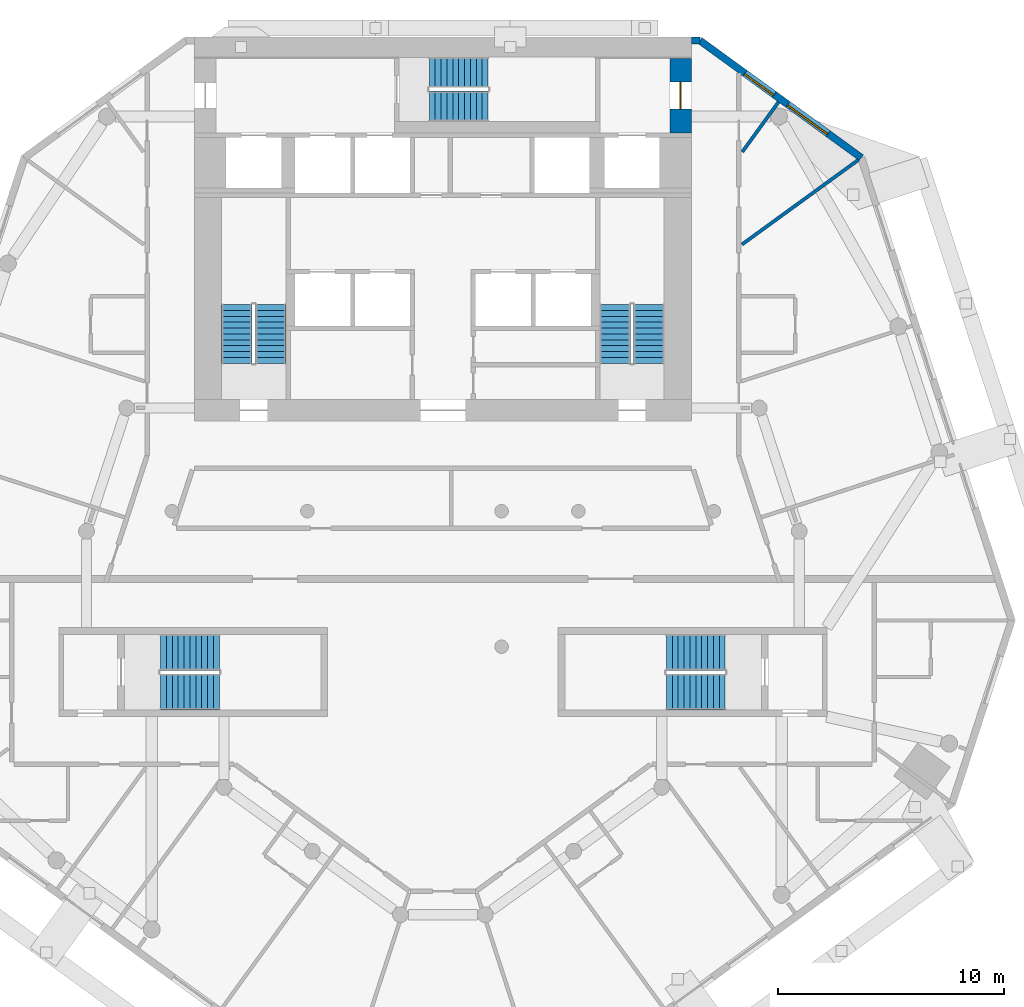
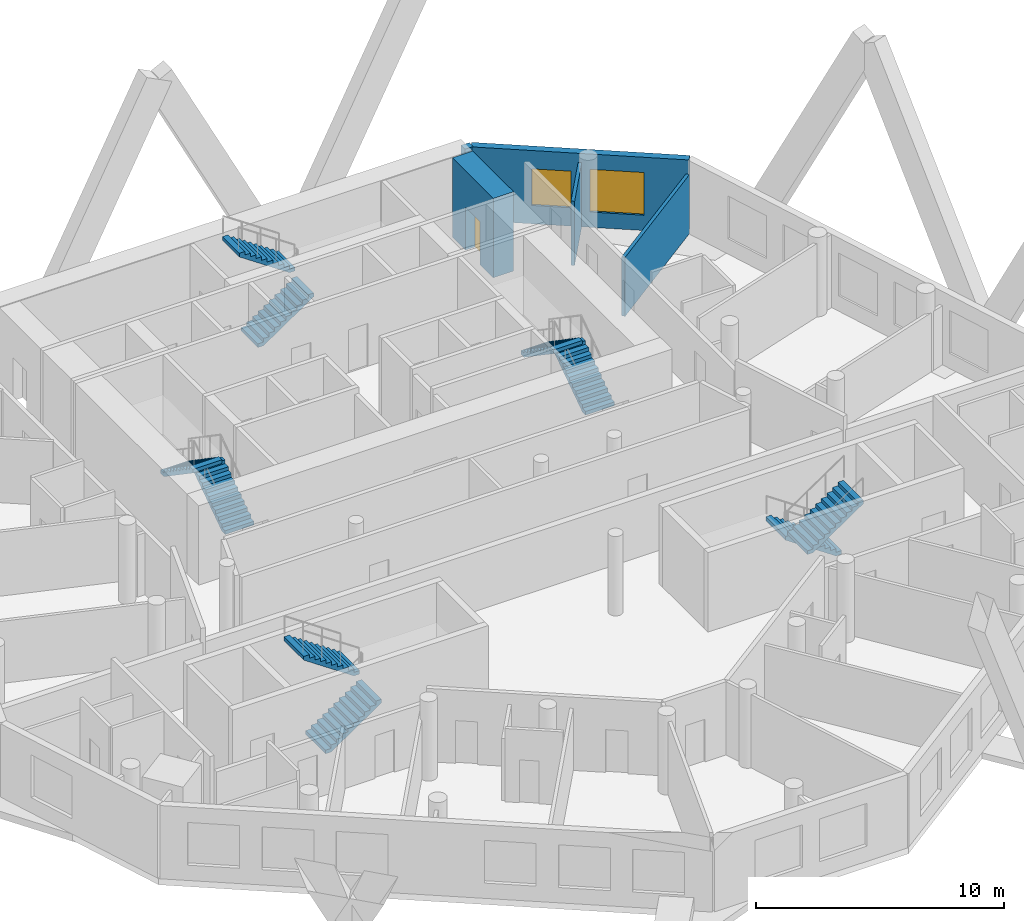
# One storey, part 8 of 10: 10 stair flights, 5 walls, 2 windows, 1 door, 3 openings, 5 elements without a shape of their own.
"""IFC4 building model written with IfcOpenShell, lengths in metres."""

import ifcopenshell
import ifcopenshell.guid

model = None  # the IFC model being written
_history = None  # IfcOwnerHistory: only IFC2X3 demands one
_inside = {}  # id of a spatial element -> (the spatial element, [elements in it])
_under = {}  # id of a project, library or spatial element -> (it, [spatial elements below it])
_declared = {}  # id of a project -> (the project, [libraries it declares])
_typed = {}  # id of a type object -> (the type object, [elements of that type])
_made_of = {}  # id of a material, layer set ... -> (it, [elements and type objects made of it])


def new_model(schema):
    """Start an empty IFC model of exactly this schema.

    Asked for "IFC4X3", IfcOpenShell would pick the latest addendum, in which some entities
    have other attributes; the version numbers below select the first issue.
    IFC2X3 requires an IfcOwnerHistory on every rooted entity: one is made here for all.
    """
    global model, _history
    if schema == "IFC4X3":
        model = ifcopenshell.file(schema_version=(4, 3, 0, 0))
    else:
        model = ifcopenshell.file(schema=schema)
    _inside.clear()
    _under.clear()
    _declared.clear()
    _typed.clear()
    _made_of.clear()
    _history = None
    if model.schema == "IFC2X3":
        org = make("IfcOrganization", Name="unknown")
        user = make(
            "IfcPersonAndOrganization",
            ThePerson=make("IfcPerson", FamilyName="unknown"),
            TheOrganization=org,
        )
        app = make(
            "IfcApplication",
            ApplicationDeveloper=org,
            Version="unknown",
            ApplicationFullName="unknown",
            ApplicationIdentifier="unknown",
        )
        _history = make(
            "IfcOwnerHistory",
            OwningUser=user,
            OwningApplication=app,
            ChangeAction="ADDED",
            CreationDate=0,
        )
    return model


def make(cls, **values):
    """One entity of the class cls with the attributes given. An attribute that is None is left unset."""
    return model.create_entity(
        cls, **{name: value for name, value in values.items() if value is not None}
    )


def rooted(cls, **values):
    """An entity with a GlobalId (a new one), such as an element, a storey or a relation."""
    return make(cls, GlobalId=ifcopenshell.guid.new(), OwnerHistory=_history, **values)


def si_unit(unit_type, name, prefix=None):
    """IfcSIUnit, for example si_unit("LENGTHUNIT", "METRE", prefix="MILLI")."""
    return make("IfcSIUnit", UnitType=unit_type, Prefix=prefix, Name=name)


def assignment(units):
    """IfcUnitAssignment: the units of a project."""
    return None if units is None else make("IfcUnitAssignment", Units=units)


def point(xyz):
    """IfcCartesianPoint."""
    return None if xyz is None else make("IfcCartesianPoint", Coordinates=xyz)


def direction(xyz):
    """IfcDirection."""
    return None if xyz is None else make("IfcDirection", DirectionRatios=xyz)


def frame(location, z_axis=None, x_axis=None):
    """IfcAxis2Placement3D, a coordinate frame: its origin and axes. An axis left out is left unset."""
    return make(
        "IfcAxis2Placement3D",
        Location=point(location),
        Axis=direction(z_axis),
        RefDirection=direction(x_axis),
    )


def frame_2d(location, x_axis=None):
    """IfcAxis2Placement2D, a coordinate frame in the plane: its origin and x axis."""
    return make(
        "IfcAxis2Placement2D", Location=point(location), RefDirection=direction(x_axis)
    )


def origin():
    """The frame at (0, 0, 0) with its axes left unset."""
    return frame((0.0, 0.0, 0.0))


def place(relative_to, where):
    """IfcLocalPlacement: puts the frame where relative to a parent placement (None: the world)."""
    return make(
        "IfcLocalPlacement", PlacementRelTo=relative_to, RelativePlacement=where
    )


def context(
    kind, dimensions, precision=None, world=None, true_north=None, identifier=None
):
    """IfcGeometricRepresentationContext, for example the 3D "Model" context."""
    return make(
        "IfcGeometricRepresentationContext",
        ContextIdentifier=identifier,
        ContextType=kind,
        CoordinateSpaceDimension=dimensions,
        Precision=precision,
        WorldCoordinateSystem=world,
        TrueNorth=true_north,
    )


def subcontext(parent, identifier, kind, view, scale=None):
    """IfcGeometricRepresentationSubContext, for example "Body" below "Model"."""
    return make(
        "IfcGeometricRepresentationSubContext",
        ContextIdentifier=identifier,
        ContextType=kind,
        ParentContext=parent,
        TargetScale=scale,
        TargetView=view,
    )


def project(units=None, contexts=None):
    """IfcProject with its units and contexts."""
    return rooted(
        "IfcProject",
        Name="project",
        RepresentationContexts=contexts,
        UnitsInContext=assignment(units),
    )


def spatial(cls, under=None, at=None, **own):
    """A site, building, storey or space (cls), placed at a placement, below another one or the project."""
    s = rooted(cls, ObjectPlacement=at, **own)
    if under is not None:
        _under.setdefault(under.id(), (under, []))[1].append(s)
    return s


def polyline(points):
    """IfcPolyline through the points."""
    return make("IfcPolyline", Points=[point(p) for p in points])


def profile(cls, at=None, kind="AREA", **sizes):
    """A parametric profile (cls). Its sizes go by their IFC names, for example OverallWidth=200.0."""
    return make(cls, ProfileType=kind, Position=at, **sizes)


def rectangle(**sizes):
    """IfcRectangleProfileDef."""
    return profile("IfcRectangleProfileDef", **sizes)


def outline(outer, holes=None, kind="AREA"):
    """IfcArbitraryClosedProfileDef: a profile drawn as a closed curve; with holes, ...WithVoids."""
    if holes is None:
        return make("IfcArbitraryClosedProfileDef", ProfileType=kind, OuterCurve=outer)
    return make(
        "IfcArbitraryProfileDefWithVoids",
        ProfileType=kind,
        OuterCurve=outer,
        InnerCurves=holes,
    )


def extrude(swept, where, along, depth):
    """IfcExtrudedAreaSolid: the profile swept, set in the frame where, extruded along a direction by depth."""
    return make(
        "IfcExtrudedAreaSolid",
        SweptArea=swept,
        Position=where,
        ExtrudedDirection=direction(along),
        Depth=depth,
    )


def shape(context_of_items, identifier, shape_type, items):
    """IfcShapeRepresentation: the items that make up one representation, for example the "Body"."""
    return make(
        "IfcShapeRepresentation",
        ContextOfItems=context_of_items,
        RepresentationIdentifier=identifier,
        RepresentationType=shape_type,
        Items=items,
    )


def material(Name=None, Category=None):
    """IfcMaterial."""
    return make("IfcMaterial", Name=Name, Category=Category)


def layer(
    of_material, thickness, ventilated=None, Name=None, Category=None, Priority=None
):
    """IfcMaterialLayer: one layer of a wall or slab, of a material (None: an air gap)."""
    return make(
        "IfcMaterialLayer",
        Material=of_material,
        LayerThickness=thickness,
        IsVentilated=ventilated,
        Name=Name,
        Category=Category,
        Priority=Priority,
    )


def layer_set(layers, Name=None):
    """IfcMaterialLayerSet."""
    return make("IfcMaterialLayerSet", MaterialLayers=layers, LayerSetName=Name)


def made_of(thing, what):
    """Note that an element or type object is made of a material, layer set ...; save() writes the relation."""
    if what is not None:
        _made_of.setdefault(what.id(), (what, []))[1].append(thing)
    return thing


def type_object(cls, material=None, **own):
    """A type object (cls), such as IfcWallType, which elements share."""
    return made_of(rooted(cls, **own), material)


def element(
    cls,
    number,
    at=None,
    inside=None,
    cuts=None,
    type_object=None,
    material=None,
    context=None,
    identifier="Body",
    shape_type=None,
    held_by="IfcProductDefinitionShape",
    body=None,
    shapes=None,
    **own,
):
    """One element of the class cls, such as IfcWall. Its Tag is "e" and its number.

    at: its placement. inside: the storey or other place that contains it. cuts: it is an
    opening in that element (IfcRelVoidsElement). A single representation is given by context,
    identifier, shape_type and body (its items); several are given by shapes. held_by: the class
    of the entity that holds the representations. save() writes the other relations.
    """
    e = rooted(cls, Tag="e%d" % number, ObjectPlacement=at, **own)
    if body is not None:
        shapes = [shape(context, identifier, shape_type, body)]
    if shapes is not None:
        e.Representation = make(held_by, Representations=shapes)
    if inside is not None:
        _inside.setdefault(inside.id(), (inside, []))[1].append(e)
    if cuts is not None:
        rooted(
            "IfcRelVoidsElement", RelatingBuildingElement=cuts, RelatedOpeningElement=e
        )
    if type_object is not None:
        _typed.setdefault(type_object.id(), (type_object, []))[1].append(e)
    return made_of(e, material)


def fill(opening, filler):
    """IfcRelFillsElement: the door or window that sits in an opening."""
    return rooted(
        "IfcRelFillsElement",
        RelatingOpeningElement=opening,
        RelatedBuildingElement=filler,
    )


def aggregate(whole, parts):
    """IfcRelAggregates: a whole, such as a stair, and the parts it consists of."""
    return rooted("IfcRelAggregates", RelatingObject=whole, RelatedObjects=parts)


def save(model, path):
    """Write the relations noted so far, then the file.

    IfcRelAggregates (storeys below a building ...), IfcRelContainedInSpatialStructure (elements
    in a storey), IfcRelDefinesByType, IfcRelAssociatesMaterial and IfcRelDeclares: one each for
    every whole, place, type object, material and project.
    """
    for whole, parts in _under.values():
        aggregate(whole, parts)
    for where, things in _inside.values():
        rooted(
            "IfcRelContainedInSpatialStructure",
            RelatedElements=things,
            RelatingStructure=where,
        )
    for kind, things in _typed.values():
        rooted("IfcRelDefinesByType", RelatedObjects=things, RelatingType=kind)
    for what, things in _made_of.values():
        rooted("IfcRelAssociatesMaterial", RelatedObjects=things, RelatingMaterial=what)
    for by, libraries in _declared.values():
        rooted("IfcRelDeclares", RelatingContext=by, RelatedDefinitions=libraries)
    model.write(path)


model = new_model("IFC4")

# Units and contexts
model_context = context("Model", 3, precision=1e-05, world=origin(), true_north=direction((0.0, 1.0)))
body_context = subcontext(model_context, "Body", "Model", "MODEL_VIEW")
ifc_project = project(units=[si_unit("LENGTHUNIT", "METRE"), si_unit("AREAUNIT", "SQUARE_METRE"), si_unit("VOLUMEUNIT", "CUBIC_METRE"), si_unit("PLANEANGLEUNIT", "RADIAN"), si_unit("MASSUNIT", "GRAM", prefix="KILO")], contexts=[model_context])

# Site, building, storey
site_placement = place(None, origin())
site = spatial("IfcSite", under=ifc_project, at=site_placement, CompositionType="ELEMENT")
building_placement = place(site_placement, origin())
building = spatial("IfcBuilding", under=site, at=building_placement, Name="White Candle Pilgrim Tower", CompositionType="ELEMENT")
storey_placement = place(building_placement, frame((0.0, 0.0, 160.300048828125)))
storey = spatial("IfcBuildingStorey", under=building, at=storey_placement, Name="L36", CompositionType="ELEMENT", Elevation=160.300048828125)

# Wall, opening, door
ifc_material_1 = material(Name="Concrete C60/75", Category="concrete")
ifc_layer_1 = layer(ifc_material_1, 0.949951171875)
ifc_layer_set_1 = layer_set([ifc_layer_1], Name="Core wall 950 mm Concrete C60/75")
wall_type_1 = type_object("IfcWallType", Name="Core wall 950 mm Concrete C60/75", PredefinedType="SHEAR", material=ifc_layer_set_1)
wall_1_placement = place(storey_placement, frame((80.52490234375, 83.75, 0.0), z_axis=(0.0, 0.0, 1.0), x_axis=(0.0, 1.0, 0.0)))
wall_1 = element("IfcWall", 1, at=wall_1_placement, inside=storey, type_object=wall_type_1, Name="WL-L36-C47", PredefinedType="SHEAR", context=body_context, shape_type="SweptSolid", body=[
    extrude(rectangle(XDim=3.300048828125, YDim=0.949951171875, at=frame_2d((1.64990234375, 0.0))), origin(), (0.0, 0.0, 1.0), 3.89990234375),
])
opening_1_placement = place(wall_1_placement, frame((1.050048828125, 0.0, 0.0)))
opening_1 = element("IfcOpeningElement", 2, at=opening_1_placement, cuts=wall_1, Name="Opening T11-009", PredefinedType="OPENING", context=body_context, shape_type="SweptSolid", body=[
    extrude(rectangle(XDim=1.199951171875, YDim=2.10009765625, at=frame_2d((0.60009765625, 1.050048828125))), frame((0.0, 0.48486328125, 0.0), z_axis=(0.0, -1.0, 0.0), x_axis=(1.0, 0.0, 0.0)), (0.0, 0.0, 1.0), 0.969970703125),
])
ifc_material_2 = material(Name="Steel door leaf", Category="steel")
door_type = type_object("IfcDoorType", Name="Fire door 1200 x 2100 EI 30", OperationType="NOTDEFINED", PredefinedType="DOOR", material=ifc_material_2)
door_placement = place(opening_1_placement, origin())
door = element("IfcDoor", 3, at=door_placement, inside=storey, type_object=door_type, Name="Door T11-009", OperationType="SINGLE_SWING_LEFT", OverallHeight=2.10009765625, OverallWidth=1.199951171875, PredefinedType="DOOR", context=body_context, shape_type="SweptSolid", body=[
    extrude(rectangle(XDim=1.199951171875, YDim=2.10009765625, at=frame_2d((0.60009765625, 1.050048828125))), frame((0.0, 0.02490234375, 0.0), z_axis=(0.0, -1.0, 0.0), x_axis=(1.0, 0.0, 0.0)), (0.0, 0.0, 1.0), 0.050048828125),
])
fill(opening_1, door)

# Wall, openings, windows
ifc_material_3 = material(Name="Precast concrete C40/50", Category="concrete")
ifc_layer_2 = layer(ifc_material_3, 0.320068359375)
ifc_layer_set_2 = layer_set([ifc_layer_2], Name="Facade wall EW1 precast concrete C40/50 pier wall with timber-lined reveals")
wall_type_2 = type_object("IfcWallType", Name="Facade wall EW1 precast concrete C40/50 pier wall with timber-lined reveals", PredefinedType="SOLIDWALL", material=ifc_layer_set_2)
wall_2_placement = place(storey_placement, frame((88.529052734375, 82.649658203125, 0.0), z_axis=(0.0, 0.0, 1.0), x_axis=(-0.809018144148, 0.587783669762, 0.0)))
wall_2 = element("IfcWall", 4, at=wall_2_placement, inside=storey, type_object=wall_type_2, Name="Facade wall L36 NE chamfer", PredefinedType="SOLIDWALL", context=body_context, shape_type="SweptSolid", body=[
    extrude(rectangle(XDim=8.83056640625, YDim=0.320068359375, at=frame_2d((4.415283203125, 0.0))), origin(), (0.0, 0.0, 1.0), 3.599853515625),
])
opening_2_placement = place(wall_2_placement, frame((1.815185546875, 0.0, 0.75)))
opening_2 = element("IfcOpeningElement", 5, at=opening_2_placement, cuts=wall_2, Name="Opening W4", PredefinedType="OPENING", context=body_context, shape_type="SweptSolid", body=[
    extrude(rectangle(XDim=2.199951171875, YDim=2.10009765625, at=frame_2d((1.10009765625, 1.050048828125))), frame((0.0, 0.169921875, 0.0), z_axis=(0.0, -1.0, 0.0), x_axis=(1.0, 0.0, 0.0)), (0.0, 0.0, 1.0), 0.340087890625),
])
opening_3_placement = place(wall_2_placement, frame((4.76513671875, 0.0, 0.89990234375)))
opening_3 = element("IfcOpeningElement", 6, at=opening_3_placement, cuts=wall_2, Name="Opening W2", PredefinedType="OPENING", context=body_context, shape_type="SweptSolid", body=[
    extrude(rectangle(XDim=1.60009765625, YDim=1.800048828125, at=frame_2d((0.800048828125, 0.89990234375))), frame((0.0, 0.169921875, 0.0), z_axis=(0.0, -1.0, 0.0), x_axis=(1.0, 0.0, 0.0)), (0.0, 0.0, 1.0), 0.340087890625),
])
ifc_material_4 = material(Name="Timber frame with triple glazing", Category="wood")
window_type_1 = type_object("IfcWindowType", Name="Window W2 1600x1800 timber frame triple glazing", PartitioningType="SINGLE_PANEL", PredefinedType="WINDOW", material=ifc_material_4)
window_1_placement = place(opening_3_placement, origin())
window_1 = element("IfcWindow", 7, at=window_1_placement, inside=storey, type_object=window_type_1, Name="Window W2 L36 NE chamfer 2", OverallHeight=1.800048828125, OverallWidth=1.60009765625, PartitioningType="SINGLE_PANEL", PredefinedType="WINDOW", context=body_context, shape_type="SweptSolid", body=[
    extrude(rectangle(XDim=1.60009765625, YDim=1.800048828125, at=frame_2d((0.800048828125, 0.89990234375))), frame((0.0, 0.070068359375, 0.0), z_axis=(0.0, -1.0, 0.0), x_axis=(1.0, 0.0, 0.0)), (0.0, 0.0, 1.0), 0.06005859375),
])
fill(opening_3, window_1)
window_type_2 = type_object("IfcWindowType", Name="Window W4 2200x2100 timber frame triple glazing", PartitioningType="SINGLE_PANEL", PredefinedType="WINDOW", material=ifc_material_4)
window_2_placement = place(opening_2_placement, origin())
window_2 = element("IfcWindow", 8, at=window_2_placement, inside=storey, type_object=window_type_2, Name="Window W4 L36 NE chamfer 1", OverallHeight=2.10009765625, OverallWidth=2.199951171875, PartitioningType="SINGLE_PANEL", PredefinedType="WINDOW", context=body_context, shape_type="SweptSolid", body=[
    extrude(rectangle(XDim=2.199951171875, YDim=2.10009765625, at=frame_2d((1.10009765625, 1.050048828125))), frame((0.0, 0.070068359375, 0.0), z_axis=(0.0, -1.0, 0.0), x_axis=(1.0, 0.0, 0.0)), (0.0, 0.0, 1.0), 0.06005859375),
])
fill(opening_2, window_2)

# Walls
wall_3_placement = place(storey_placement, frame((81.385009765625, 87.840087890625, 0.0), z_axis=(0.0, 0.0, 1.0), x_axis=(-1.0, 0.0, 0.0)))
element("IfcWall", 9, at=wall_3_placement, inside=storey, type_object=wall_type_2, Name="Facade wall L36 N", PredefinedType="SOLIDWALL", context=body_context, shape_type="SweptSolid", body=[
    extrude(rectangle(XDim=0.385009765625, YDim=0.320068359375, at=frame_2d((0.1923828125, 0.0))), origin(), (0.0, 0.0, 1.0), 3.599853515625),
])
ifc_material_5 = material(Name="Gypsum board on steel studs", Category="steel")
ifc_layer_3 = layer(ifc_material_5, 0.14990234375)
ifc_layer_set_3 = layer_set([ifc_layer_3], Name="Partition 150 mm EI 60")
wall_type_3 = type_object("IfcWallType", Name="Partition 150 mm EI 60", PredefinedType="PARTITIONING", material=ifc_layer_set_3)
wall_4_placement = place(storey_placement, frame((88.392822265625, 82.55078125, 0.0), z_axis=(0.0, 0.0, 1.0), x_axis=(-0.809018004504, -0.587783861966, 0.0)))
element("IfcWall", 10, at=wall_4_placement, inside=storey, type_object=wall_type_3, Name="WL-L36-P024", PredefinedType="PARTITIONING", context=body_context, shape_type="SweptSolid", body=[
    extrude(rectangle(XDim=6.364013671875, YDim=0.14990234375, at=frame_2d((3.18212890625, 0.0))), origin(), (0.0, 0.0, 1.0), 2.89990234375),
])
wall_5_placement = place(storey_placement, frame((84.86279296875, 85.115478515625, 0.0), z_axis=(0.0, 0.0, 1.0), x_axis=(-0.587734915063, -0.809053564121, 0.0)))
element("IfcWall", 11, at=wall_5_placement, inside=storey, type_object=wall_type_3, Name="WL-L36-P054", PredefinedType="PARTITIONING", context=body_context, shape_type="SweptSolid", body=[
    extrude(rectangle(XDim=2.725830078125, YDim=0.14990234375, at=frame_2d((1.36279296875, 0.0))), origin(), (0.0, 0.0, 1.0), 3.14990234375),
])

# Stair, stair flights
ifc_material_6 = material(Name="Concrete C40/50", Category="concrete")
stair_type_1 = type_object("IfcStairType", Name="Exit stair 1 flight width 1350 mm", PredefinedType="HALF_TURN_STAIR", material=ifc_material_6)
stair_1_placement = place(storey_placement, origin())
stair_1 = element("IfcStair", 12, at=stair_1_placement, inside=storey, type_object=stair_type_1, Name="L36 stair 1", PredefinedType="NOTDEFINED")
ifc_layer_4 = layer(ifc_material_6, 0.14990234375)
ifc_layer_set_4 = layer_set([ifc_layer_4], Name="Stair flight Concrete C40/50")
stair_flight_type = type_object("IfcStairFlightType", Name="Stair flight Concrete C40/50", PredefinedType="STRAIGHT", material=ifc_layer_set_4)
stair_flight_1_placement = place(storey_placement, frame((62.375, 73.550048828125, 0.0), z_axis=(0.0, 0.0, 1.0), x_axis=(0.0, 1.0, 0.0)))
stair_flight_1 = element("IfcStairFlight", 13, at=stair_flight_1_placement, type_object=stair_flight_type, Name="ST1 flight 1", NumberOfRisers=11, NumberOfTreads=10, PredefinedType="NOTDEFINED", RiserHeight=0.177272727, TreadLength=0.26, context=body_context, shape_type="SweptSolid", body=[
    extrude(outline(polyline([(0.0, 0.0), (0.0, 0.17724609375), (0.260009765625, 0.17724609375), (0.260009765625, 0.3544921875), (0.52001953125, 0.3544921875), (0.52001953125, 0.53173828125), (0.780029296875, 0.53173828125), (0.780029296875, 0.708984375), (1.0400390625, 0.708984375), (1.0400390625, 0.886474609375), (1.300048828125, 0.886474609375), (1.300048828125, 1.063720703125), (1.56005859375, 1.063720703125), (1.56005859375, 1.240966796875), (1.820068359375, 1.240966796875), (1.820068359375, 1.418212890625), (2.080078125, 1.418212890625), (2.080078125, 1.595458984375), (2.340087890625, 1.595458984375), (2.340087890625, 1.772705078125), (2.60009765625, 1.772705078125), (2.60009765625, 1.949951171875), (2.60009765625, 1.59130859375), (0.26611328125, 0.0), (0.0, 0.0)])), frame((0.0, 0.675048828125, 0.0), z_axis=(0.0, -1.0, 0.0), x_axis=(1.0, 0.0, 0.0)), (0.0, 0.0, 1.0), 1.35009765625),
])
stair_flight_2_placement = place(storey_placement, frame((60.875, 76.14990234375, 1.949951171875), z_axis=(0.0, 0.0, 1.0), x_axis=(0.0, -1.0, 0.0)))
stair_flight_2 = element("IfcStairFlight", 14, at=stair_flight_2_placement, type_object=stair_flight_type, Name="ST1 flight 2", NumberOfRisers=11, NumberOfTreads=10, PredefinedType="NOTDEFINED", RiserHeight=0.177272727, TreadLength=0.26, context=body_context, shape_type="SweptSolid", body=[
    extrude(outline(polyline([(0.0, 0.0), (0.0, 0.17724609375), (0.260009765625, 0.17724609375), (0.260009765625, 0.3544921875), (0.52001953125, 0.3544921875), (0.52001953125, 0.53173828125), (0.780029296875, 0.53173828125), (0.780029296875, 0.708984375), (1.0400390625, 0.708984375), (1.0400390625, 0.886474609375), (1.300048828125, 0.886474609375), (1.300048828125, 1.063720703125), (1.56005859375, 1.063720703125), (1.56005859375, 1.240966796875), (1.820068359375, 1.240966796875), (1.820068359375, 1.418212890625), (2.080078125, 1.418212890625), (2.080078125, 1.595458984375), (2.340087890625, 1.595458984375), (2.340087890625, 1.772705078125), (2.60009765625, 1.772705078125), (2.60009765625, 1.949951171875), (2.60009765625, 1.59130859375), (0.26611328125, 0.0), (0.0, 0.0)])), frame((0.0, 0.675048828125, 0.0), z_axis=(0.0, -1.0, 0.0), x_axis=(1.0, 0.0, 0.0)), (0.0, 0.0, 1.0), 1.35009765625),
])
aggregate(stair_1, [stair_flight_1, stair_flight_2])

stair_type_2 = type_object("IfcStairType", Name="Exit stair 2 flight width 1350 mm", PredefinedType="HALF_TURN_STAIR", material=ifc_material_6)
stair_2_placement = place(storey_placement, origin())
stair_2 = element("IfcStair", 15, at=stair_2_placement, inside=storey, type_object=stair_type_2, Name="L36 stair 2", PredefinedType="NOTDEFINED")
stair_flight_3_placement = place(storey_placement, frame((79.125, 73.550048828125, 0.0), z_axis=(0.0, 0.0, 1.0), x_axis=(0.0, 1.0, 0.0)))
stair_flight_3 = element("IfcStairFlight", 16, at=stair_flight_3_placement, type_object=stair_flight_type, Name="ST2 flight 1", NumberOfRisers=11, NumberOfTreads=10, PredefinedType="NOTDEFINED", RiserHeight=0.177272727, TreadLength=0.26, context=body_context, shape_type="SweptSolid", body=[
    extrude(outline(polyline([(0.0, 0.0), (0.0, 0.17724609375), (0.260009765625, 0.17724609375), (0.260009765625, 0.3544921875), (0.52001953125, 0.3544921875), (0.52001953125, 0.53173828125), (0.780029296875, 0.53173828125), (0.780029296875, 0.708984375), (1.0400390625, 0.708984375), (1.0400390625, 0.886474609375), (1.300048828125, 0.886474609375), (1.300048828125, 1.063720703125), (1.56005859375, 1.063720703125), (1.56005859375, 1.240966796875), (1.820068359375, 1.240966796875), (1.820068359375, 1.418212890625), (2.080078125, 1.418212890625), (2.080078125, 1.595458984375), (2.340087890625, 1.595458984375), (2.340087890625, 1.772705078125), (2.60009765625, 1.772705078125), (2.60009765625, 1.949951171875), (2.60009765625, 1.59130859375), (0.26611328125, 0.0), (0.0, 0.0)])), frame((0.0, 0.675048828125, 0.0), z_axis=(0.0, -1.0, 0.0), x_axis=(1.0, 0.0, 0.0)), (0.0, 0.0, 1.0), 1.35009765625),
])
stair_flight_4_placement = place(storey_placement, frame((77.625, 76.14990234375, 1.949951171875), z_axis=(0.0, 0.0, 1.0), x_axis=(0.0, -1.0, 0.0)))
stair_flight_4 = element("IfcStairFlight", 17, at=stair_flight_4_placement, type_object=stair_flight_type, Name="ST2 flight 2", NumberOfRisers=11, NumberOfTreads=10, PredefinedType="NOTDEFINED", RiserHeight=0.177272727, TreadLength=0.26, context=body_context, shape_type="SweptSolid", body=[
    extrude(outline(polyline([(0.0, 0.0), (0.0, 0.17724609375), (0.260009765625, 0.17724609375), (0.260009765625, 0.3544921875), (0.52001953125, 0.3544921875), (0.52001953125, 0.53173828125), (0.780029296875, 0.53173828125), (0.780029296875, 0.708984375), (1.0400390625, 0.708984375), (1.0400390625, 0.886474609375), (1.300048828125, 0.886474609375), (1.300048828125, 1.063720703125), (1.56005859375, 1.063720703125), (1.56005859375, 1.240966796875), (1.820068359375, 1.240966796875), (1.820068359375, 1.418212890625), (2.080078125, 1.418212890625), (2.080078125, 1.595458984375), (2.340087890625, 1.595458984375), (2.340087890625, 1.772705078125), (2.60009765625, 1.772705078125), (2.60009765625, 1.949951171875), (2.60009765625, 1.59130859375), (0.26611328125, 0.0), (0.0, 0.0)])), frame((0.0, 0.675048828125, 0.0), z_axis=(0.0, -1.0, 0.0), x_axis=(1.0, 0.0, 0.0)), (0.0, 0.0, 1.0), 1.35009765625),
])
aggregate(stair_2, [stair_flight_3, stair_flight_4])

stair_type_3 = type_object("IfcStairType", Name="Exit stair 3 flight width 1350 mm", PredefinedType="HALF_TURN_STAIR", material=ifc_material_6)
stair_3_placement = place(storey_placement, origin())
stair_3 = element("IfcStair", 18, at=stair_3_placement, inside=storey, type_object=stair_type_3, Name="L36 stair 3", PredefinedType="NOTDEFINED")
stair_flight_5_placement = place(storey_placement, frame((69.39990234375, 84.925048828125, 0.0), z_axis=(0.0, 0.0, 1.0), x_axis=(1.0, 0.0, 0.0)))
stair_flight_5 = element("IfcStairFlight", 19, at=stair_flight_5_placement, type_object=stair_flight_type, Name="ST3 flight 1", NumberOfRisers=11, NumberOfTreads=10, PredefinedType="NOTDEFINED", RiserHeight=0.177272727, TreadLength=0.26, context=body_context, shape_type="SweptSolid", body=[
    extrude(outline(polyline([(0.0, 0.0), (0.0, 0.17724609375), (0.260009765625, 0.17724609375), (0.260009765625, 0.3544921875), (0.52001953125, 0.3544921875), (0.52001953125, 0.53173828125), (0.780029296875, 0.53173828125), (0.780029296875, 0.708984375), (1.0400390625, 0.708984375), (1.0400390625, 0.886474609375), (1.300048828125, 0.886474609375), (1.300048828125, 1.063720703125), (1.56005859375, 1.063720703125), (1.56005859375, 1.240966796875), (1.820068359375, 1.240966796875), (1.820068359375, 1.418212890625), (2.080078125, 1.418212890625), (2.080078125, 1.595458984375), (2.340087890625, 1.595458984375), (2.340087890625, 1.772705078125), (2.60009765625, 1.772705078125), (2.60009765625, 1.949951171875), (2.60009765625, 1.59130859375), (0.26611328125, 0.0), (0.0, 0.0)])), frame((0.0, 0.675048828125, 0.0), z_axis=(0.0, -1.0, 0.0), x_axis=(1.0, 0.0, 0.0)), (0.0, 0.0, 1.0), 1.35009765625),
])
stair_flight_6_placement = place(storey_placement, frame((72.0, 86.425048828125, 1.949951171875), z_axis=(0.0, 0.0, 1.0), x_axis=(-1.0, 0.0, 0.0)))
stair_flight_6 = element("IfcStairFlight", 20, at=stair_flight_6_placement, type_object=stair_flight_type, Name="ST3 flight 2", NumberOfRisers=11, NumberOfTreads=10, PredefinedType="NOTDEFINED", RiserHeight=0.177272727, TreadLength=0.26, context=body_context, shape_type="SweptSolid", body=[
    extrude(outline(polyline([(0.0, 0.0), (0.0, 0.17724609375), (0.260009765625, 0.17724609375), (0.260009765625, 0.3544921875), (0.52001953125, 0.3544921875), (0.52001953125, 0.53173828125), (0.780029296875, 0.53173828125), (0.780029296875, 0.708984375), (1.0400390625, 0.708984375), (1.0400390625, 0.886474609375), (1.300048828125, 0.886474609375), (1.300048828125, 1.063720703125), (1.56005859375, 1.063720703125), (1.56005859375, 1.240966796875), (1.820068359375, 1.240966796875), (1.820068359375, 1.418212890625), (2.080078125, 1.418212890625), (2.080078125, 1.595458984375), (2.340087890625, 1.595458984375), (2.340087890625, 1.772705078125), (2.60009765625, 1.772705078125), (2.60009765625, 1.949951171875), (2.60009765625, 1.59130859375), (0.26611328125, 0.0), (0.0, 0.0)])), frame((0.0, 0.675048828125, 0.0), z_axis=(0.0, -1.0, 0.0), x_axis=(1.0, 0.0, 0.0)), (0.0, 0.0, 1.0), 1.35009765625),
])
aggregate(stair_3, [stair_flight_5, stair_flight_6])

stair_type_4 = type_object("IfcStairType", Name="Exit stair 4 flight width 1600 mm", PredefinedType="HALF_TURN_STAIR", material=ifc_material_6)
stair_4_placement = place(storey_placement, origin())
stair_4 = element("IfcStair", 21, at=stair_4_placement, inside=storey, type_object=stair_type_4, Name="L36 stair 4", PredefinedType="NOTDEFINED")
stair_flight_7_placement = place(storey_placement, frame((82.5, 60.75, 0.0), z_axis=(0.0, 0.0, 1.0), x_axis=(-1.0, 0.0, 0.0)))
stair_flight_7 = element("IfcStairFlight", 22, at=stair_flight_7_placement, type_object=stair_flight_type, Name="ST4 flight 1", NumberOfRisers=11, NumberOfTreads=10, PredefinedType="NOTDEFINED", RiserHeight=0.177272727, TreadLength=0.26, context=body_context, shape_type="SweptSolid", body=[
    extrude(outline(polyline([(0.0, 0.0), (0.0, 0.17724609375), (0.260009765625, 0.17724609375), (0.260009765625, 0.3544921875), (0.52001953125, 0.3544921875), (0.52001953125, 0.53173828125), (0.780029296875, 0.53173828125), (0.780029296875, 0.708984375), (1.0400390625, 0.708984375), (1.0400390625, 0.886474609375), (1.300048828125, 0.886474609375), (1.300048828125, 1.063720703125), (1.56005859375, 1.063720703125), (1.56005859375, 1.240966796875), (1.820068359375, 1.240966796875), (1.820068359375, 1.418212890625), (2.080078125, 1.418212890625), (2.080078125, 1.595458984375), (2.340087890625, 1.595458984375), (2.340087890625, 1.772705078125), (2.60009765625, 1.772705078125), (2.60009765625, 1.949951171875), (2.60009765625, 1.59130859375), (0.26611328125, 0.0), (0.0, 0.0)])), frame((0.0, 0.800048828125, 0.0), z_axis=(0.0, -1.0, 0.0), x_axis=(1.0, 0.0, 0.0)), (0.0, 0.0, 1.0), 1.60009765625),
])
stair_flight_8_placement = place(storey_placement, frame((79.89990234375, 59.0, 1.949951171875), z_axis=(0.0, 0.0, 1.0), x_axis=(1.0, 0.0, 0.0)))
stair_flight_8 = element("IfcStairFlight", 23, at=stair_flight_8_placement, type_object=stair_flight_type, Name="ST4 flight 2", NumberOfRisers=11, NumberOfTreads=10, PredefinedType="NOTDEFINED", RiserHeight=0.177272727, TreadLength=0.26, context=body_context, shape_type="SweptSolid", body=[
    extrude(outline(polyline([(0.0, 0.0), (0.0, 0.17724609375), (0.260009765625, 0.17724609375), (0.260009765625, 0.3544921875), (0.52001953125, 0.3544921875), (0.52001953125, 0.53173828125), (0.780029296875, 0.53173828125), (0.780029296875, 0.708984375), (1.0400390625, 0.708984375), (1.0400390625, 0.886474609375), (1.300048828125, 0.886474609375), (1.300048828125, 1.063720703125), (1.56005859375, 1.063720703125), (1.56005859375, 1.240966796875), (1.820068359375, 1.240966796875), (1.820068359375, 1.418212890625), (2.080078125, 1.418212890625), (2.080078125, 1.595458984375), (2.340087890625, 1.595458984375), (2.340087890625, 1.772705078125), (2.60009765625, 1.772705078125), (2.60009765625, 1.949951171875), (2.60009765625, 1.59130859375), (0.26611328125, 0.0), (0.0, 0.0)])), frame((0.0, 0.800048828125, 0.0), z_axis=(0.0, -1.0, 0.0), x_axis=(1.0, 0.0, 0.0)), (0.0, 0.0, 1.0), 1.60009765625),
])
aggregate(stair_4, [stair_flight_7, stair_flight_8])

stair_type_5 = type_object("IfcStairType", Name="Exit stair 5 flight width 1600 mm", PredefinedType="HALF_TURN_STAIR", material=ifc_material_6)
stair_5_placement = place(storey_placement, origin())
stair_5 = element("IfcStair", 24, at=stair_5_placement, inside=storey, type_object=stair_type_5, Name="L36 stair 5", PredefinedType="NOTDEFINED")
stair_flight_9_placement = place(storey_placement, frame((57.5, 59.0, 0.0), z_axis=(0.0, 0.0, 1.0), x_axis=(1.0, 0.0, 0.0)))
stair_flight_9 = element("IfcStairFlight", 25, at=stair_flight_9_placement, type_object=stair_flight_type, Name="ST5 flight 1", NumberOfRisers=11, NumberOfTreads=10, PredefinedType="NOTDEFINED", RiserHeight=0.177272727, TreadLength=0.26, context=body_context, shape_type="SweptSolid", body=[
    extrude(outline(polyline([(0.0, 0.0), (0.0, 0.17724609375), (0.260009765625, 0.17724609375), (0.260009765625, 0.3544921875), (0.52001953125, 0.3544921875), (0.52001953125, 0.53173828125), (0.780029296875, 0.53173828125), (0.780029296875, 0.708984375), (1.0400390625, 0.708984375), (1.0400390625, 0.886474609375), (1.300048828125, 0.886474609375), (1.300048828125, 1.063720703125), (1.56005859375, 1.063720703125), (1.56005859375, 1.240966796875), (1.820068359375, 1.240966796875), (1.820068359375, 1.418212890625), (2.080078125, 1.418212890625), (2.080078125, 1.595458984375), (2.340087890625, 1.595458984375), (2.340087890625, 1.772705078125), (2.60009765625, 1.772705078125), (2.60009765625, 1.949951171875), (2.60009765625, 1.59130859375), (0.26611328125, 0.0), (0.0, 0.0)])), frame((0.0, 0.800048828125, 0.0), z_axis=(0.0, -1.0, 0.0), x_axis=(1.0, 0.0, 0.0)), (0.0, 0.0, 1.0), 1.60009765625),
])
stair_flight_10_placement = place(storey_placement, frame((60.10009765625, 60.75, 1.949951171875), z_axis=(0.0, 0.0, 1.0), x_axis=(-1.0, 0.0, 0.0)))
stair_flight_10 = element("IfcStairFlight", 26, at=stair_flight_10_placement, type_object=stair_flight_type, Name="ST5 flight 2", NumberOfRisers=11, NumberOfTreads=10, PredefinedType="NOTDEFINED", RiserHeight=0.177272727, TreadLength=0.26, context=body_context, shape_type="SweptSolid", body=[
    extrude(outline(polyline([(0.0, 0.0), (0.0, 0.17724609375), (0.260009765625, 0.17724609375), (0.260009765625, 0.3544921875), (0.52001953125, 0.3544921875), (0.52001953125, 0.53173828125), (0.780029296875, 0.53173828125), (0.780029296875, 0.708984375), (1.0400390625, 0.708984375), (1.0400390625, 0.886474609375), (1.300048828125, 0.886474609375), (1.300048828125, 1.063720703125), (1.56005859375, 1.063720703125), (1.56005859375, 1.240966796875), (1.820068359375, 1.240966796875), (1.820068359375, 1.418212890625), (2.080078125, 1.418212890625), (2.080078125, 1.595458984375), (2.340087890625, 1.595458984375), (2.340087890625, 1.772705078125), (2.60009765625, 1.772705078125), (2.60009765625, 1.949951171875), (2.60009765625, 1.59130859375), (0.26611328125, 0.0), (0.0, 0.0)])), frame((0.0, 0.800048828125, 0.0), z_axis=(0.0, -1.0, 0.0), x_axis=(1.0, 0.0, 0.0)), (0.0, 0.0, 1.0), 1.60009765625),
])
aggregate(stair_5, [stair_flight_9, stair_flight_10])

save(model, "model.ifc")
